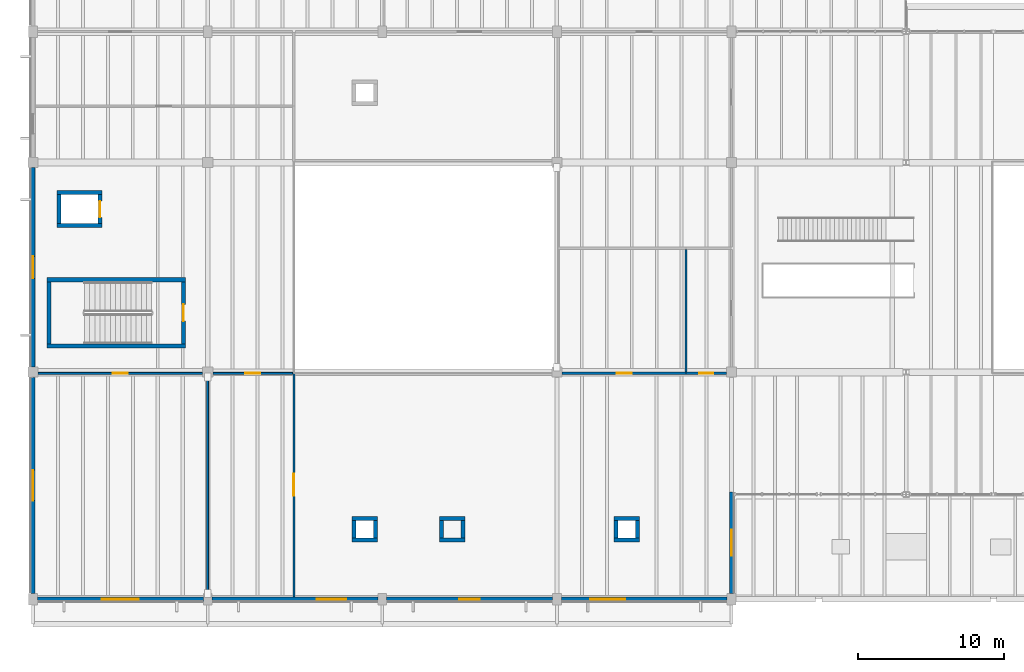
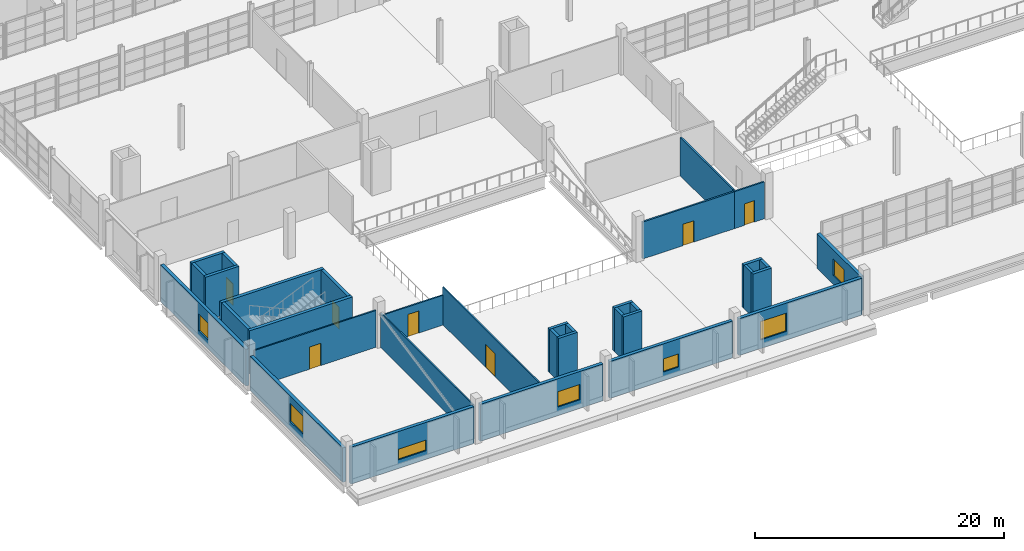
# One storey, part 88 of 114: 34 walls, 7 doors, 7 windows, 14 openings.
"""IFC4 building model written with IfcOpenShell, lengths in metres."""

from ifc_helpers import new_model, si_unit, direction, frame, frame_2d, origin, place, context, subcontext, project, spatial, rectangle, extrude, material, layer, layer_set, type_object, element, fill, save


model = new_model("IFC4")

# Units and contexts
model_context = context("Model", 3, precision=1e-05, world=origin(), true_north=direction((0.0, 1.0)))
body_context = subcontext(model_context, "Body", "Model", "MODEL_VIEW")
ifc_project = project(units=[si_unit("LENGTHUNIT", "METRE"), si_unit("AREAUNIT", "SQUARE_METRE"), si_unit("VOLUMEUNIT", "CUBIC_METRE"), si_unit("PLANEANGLEUNIT", "RADIAN"), si_unit("MASSUNIT", "GRAM", prefix="KILO")], contexts=[model_context])

# Site, building, storey
site_placement = place(None, origin())
site = spatial("IfcSite", under=ifc_project, at=site_placement, CompositionType="ELEMENT")
building_placement = place(site_placement, origin())
building = spatial("IfcBuilding", under=site, at=building_placement, Name="Kelmvaro Bay Concert Hall", CompositionType="ELEMENT")
storey_placement = place(building_placement, frame((0.0, 0.0, 4.800048828125)))
storey = spatial("IfcBuildingStorey", under=building, at=storey_placement, Name="L01", CompositionType="ELEMENT", Elevation=4.800048828125)

# Wall, opening, door
ifc_material_1 = material(Name="Acoustic Gypsum Board on Galvanised Steel Studs", Category="steel")
ifc_layer_1 = layer(ifc_material_1, 0.1298828125)
ifc_layer_set_1 = layer_set([ifc_layer_1], Name="Acoustic Gypsum Board on Galvanised Steel Studs")
wall_type_1 = type_object("IfcWallType", Name="Classroom Acoustic Partition 130", PredefinedType="PARTITIONING", material=ifc_layer_set_1)
wall_1_placement = place(storey_placement, frame((17.919921875, 0.159912109375, 0.0), z_axis=(0.0, 0.0, 1.0), x_axis=(0.0, 1.0, 0.0)))
wall_1 = element("IfcWall", 1, at=wall_1_placement, inside=storey, type_object=wall_type_1, Name="L01 Interior Partition PT-L01-0156", PredefinedType="PARTITIONING", context=body_context, shape_type="SweptSolid", body=[
    extrude(rectangle(XDim=15.39013671875, YDim=0.1298828125, at=frame_2d((7.695068359375, 0.0))), origin(), (0.0, 0.0, 1.0), 3.68603515625),
])
opening_1_placement = place(wall_1_placement, frame((6.93505859375, 0.0, 0.0)))
opening_1 = element("IfcOpeningElement", 2, at=opening_1_placement, cuts=wall_1, Name="Opening ID-ED2", PredefinedType="OPENING", context=body_context, shape_type="SweptSolid", body=[
    extrude(rectangle(XDim=1.52001953125, YDim=2.239990234375, at=frame_2d((0.760009765625, 1.1201171875))), frame((0.0, 0.074951171875, 0.0), z_axis=(0.0, -1.0, 0.0), x_axis=(1.0, 0.0, 0.0)), (0.0, 0.0, 1.0), 0.14990234375),
])
ifc_material_2 = material(Name="Oak Veneer and Acoustic Glass", Category="glass")
door_type_1 = type_object("IfcDoorType", Name="Archive Library Double Door 1520x2240", OperationType="NOTDEFINED", PredefinedType="DOOR", material=ifc_material_2)
door_1_placement = place(opening_1_placement, origin())
door_1 = element("IfcDoor", 3, at=door_1_placement, inside=storey, type_object=door_type_1, Name="L01 Interior Door DR-INT-L01-0096", OperationType="DOUBLE_DOOR_SINGLE_SWING", OverallHeight=2.239990234375, OverallWidth=1.52001953125, PredefinedType="DOOR", context=body_context, shape_type="SweptSolid", body=[
    extrude(rectangle(XDim=1.52001953125, YDim=2.239990234375, at=frame_2d((0.760009765625, 1.1201171875))), frame((0.0, 0.02490234375, 0.0), z_axis=(0.0, -1.0, 0.0), x_axis=(1.0, 0.0, 0.0)), (0.0, 0.0, 1.0), 0.050048828125),
])
fill(opening_1, door_1)

wall_2_placement = place(storey_placement, frame((0.35791015625, 15.52001953125, 0.0), z_axis=(0.0, 0.0, 1.0), x_axis=(1.0, 0.0, 0.0)))
wall_2 = element("IfcWall", 4, at=wall_2_placement, inside=storey, type_object=wall_type_1, Name="L01 Interior Partition PT-L01-0164", PredefinedType="PARTITIONING", context=body_context, shape_type="SweptSolid", body=[
    extrude(rectangle(XDim=11.2841796875, YDim=0.1298828125, at=frame_2d((5.64208984375, 0.0))), origin(), (0.0, 0.0, 1.0), 3.623046875),
])
opening_2_placement = place(wall_2_placement, frame((5.126953125, 0.0, 0.0)))
opening_2 = element("IfcOpeningElement", 5, at=opening_2_placement, cuts=wall_2, Name="Opening ID-ED1", PredefinedType="OPENING", context=body_context, shape_type="SweptSolid", body=[
    extrude(rectangle(XDim=1.030029296875, YDim=2.179931640625, at=frame_2d((0.51513671875, 1.08984375))), frame((0.0, 0.074951171875, 0.0), z_axis=(0.0, -1.0, 0.0), x_axis=(1.0, 0.0, 0.0)), (0.0, 0.0, 1.0), 0.14990234375),
])
ifc_material_3 = material(Name="Oak Veneer and Acoustic Glass", Category="glass")
door_type_2 = type_object("IfcDoorType", Name="Classroom Vision-Lite Door 1030x2180", OperationType="NOTDEFINED", PredefinedType="DOOR", material=ifc_material_3)
door_2_placement = place(opening_2_placement, origin())
door_2 = element("IfcDoor", 6, at=door_2_placement, inside=storey, type_object=door_type_2, Name="L01 Interior Door DR-INT-L01-0100", OperationType="SINGLE_SWING_RIGHT", OverallHeight=2.179931640625, OverallWidth=1.030029296875, PredefinedType="DOOR", context=body_context, shape_type="SweptSolid", body=[
    extrude(rectangle(XDim=1.030029296875, YDim=2.179931640625, at=frame_2d((0.51513671875, 1.08984375))), frame((0.0, 0.02490234375, 0.0), z_axis=(0.0, -1.0, 0.0), x_axis=(1.0, 0.0, 0.0)), (0.0, 0.0, 1.0), 0.050048828125),
])
fill(opening_2, door_2)

wall_3_placement = place(storey_placement, frame((12.35791015625, 15.52001953125, 0.0), z_axis=(0.0, 0.0, 1.0), x_axis=(1.0, 0.0, 0.0)))
wall_3 = element("IfcWall", 7, at=wall_3_placement, inside=storey, type_object=wall_type_1, Name="L01 Interior Partition PT-L01-0165", PredefinedType="PARTITIONING", context=body_context, shape_type="SweptSolid", body=[
    extrude(rectangle(XDim=5.487060546875, YDim=0.1298828125, at=frame_2d((2.74365234375, 0.0))), origin(), (0.0, 0.0, 1.0), 2.929931640625),
])
opening_3_placement = place(wall_3_placement, frame((2.228515625, 0.0, 0.0)))
opening_3 = element("IfcOpeningElement", 8, at=opening_3_placement, cuts=wall_3, Name="Opening ID-ED1", PredefinedType="OPENING", context=body_context, shape_type="SweptSolid", body=[
    extrude(rectangle(XDim=1.030029296875, YDim=2.179931640625, at=frame_2d((0.51513671875, 1.08984375))), frame((0.0, 0.074951171875, 0.0), z_axis=(0.0, -1.0, 0.0), x_axis=(1.0, 0.0, 0.0)), (0.0, 0.0, 1.0), 0.14990234375),
])
door_3_placement = place(opening_3_placement, origin())
door_3 = element("IfcDoor", 9, at=door_3_placement, inside=storey, type_object=door_type_2, Name="L01 Interior Door DR-INT-L01-0101", OperationType="SINGLE_SWING_LEFT", OverallHeight=2.179931640625, OverallWidth=1.030029296875, PredefinedType="DOOR", context=body_context, shape_type="SweptSolid", body=[
    extrude(rectangle(XDim=1.030029296875, YDim=2.179931640625, at=frame_2d((0.51513671875, 1.08984375))), frame((0.0, 0.02490234375, 0.0), z_axis=(0.0, -1.0, 0.0), x_axis=(1.0, 0.0, 0.0)), (0.0, 0.0, 1.0), 0.050048828125),
])
fill(opening_3, door_3)

# Wall
wall_4_placement = place(storey_placement, frame((12.0, 0.407958984375, 0.0), z_axis=(0.0, 0.0, 1.0), x_axis=(0.0, 1.0, 0.0)))
element("IfcWall", 10, at=wall_4_placement, inside=storey, type_object=wall_type_1, Name="L01 Interior Partition PT-L01-0167", PredefinedType="PARTITIONING", context=body_context, shape_type="SweptSolid", body=[
    extrude(rectangle(XDim=14.833984375, YDim=0.1298828125, at=frame_2d((7.4169921875, 0.0))), origin(), (0.0, 0.0, 1.0), 3.384033203125),
])

# Wall, opening, window
ifc_material_4 = material(Name="Precast Concrete C40/50", Category="concrete")
ifc_layer_2 = layer(ifc_material_4, 0.300048828125)
ifc_layer_set_2 = layer_set([ifc_layer_2], Name="Precast Concrete C40/50")
wall_type_2 = type_object("IfcWallType", Name="Education Pavilion Precast Wall 300", PredefinedType="SOLIDWALL", material=ifc_layer_set_2)
wall_5_placement = place(storey_placement, frame((11.699951171875, 0.0, 0.0), z_axis=(0.0, 0.0, 1.0), x_axis=(-1.0, 0.0, 0.0)))
wall_5 = element("IfcWall", 11, at=wall_5_placement, inside=storey, type_object=wall_type_2, Name="L01 Exterior Wall EW-L01-0170", PredefinedType="SOLIDWALL", context=body_context, shape_type="SweptSolid", body=[
    extrude(rectangle(XDim=11.39990234375, YDim=0.300048828125, at=frame_2d((5.699951171875, 0.0))), origin(), (0.0, 0.0, 1.0), 3.623046875),
])
opening_4_placement = place(wall_5_placement, frame((4.425048828125, 0.0, 0.85009765625)))
opening_4 = element("IfcOpeningElement", 12, at=opening_4_placement, cuts=wall_5, Name="Opening WN-24", PredefinedType="OPENING", context=body_context, shape_type="SweptSolid", body=[
    extrude(rectangle(XDim=2.550048828125, YDim=1.050048828125, at=frame_2d((1.27490234375, 0.52490234375))), frame((0.0, 0.159912109375, 0.0), z_axis=(0.0, -1.0, 0.0), x_axis=(1.0, 0.0, 0.0)), (0.0, 0.0, 1.0), 0.320068359375),
])
ifc_material_5 = material(Name="Thermally Broken Aluminium and Acoustic Low-E Glass", Category="aluminium")
window_type_1 = type_object("IfcWindowType", Name="Percussion High Clerestory 2550x1050", PartitioningType="SINGLE_PANEL", PredefinedType="WINDOW", material=ifc_material_5)
window_1_placement = place(opening_4_placement, origin())
window_1 = element("IfcWindow", 13, at=window_1_placement, inside=storey, type_object=window_type_1, Name="L01 Facade Window WN-L01-0079", OverallHeight=1.050048828125, OverallWidth=2.550048828125, PartitioningType="SINGLE_PANEL", PredefinedType="WINDOW", context=body_context, shape_type="SweptSolid", body=[
    extrude(rectangle(XDim=2.550048828125, YDim=1.050048828125, at=frame_2d((1.27490234375, 0.52490234375))), frame((0.0, 0.030029296875, 0.0), z_axis=(0.0, -1.0, 0.0), x_axis=(1.0, 0.0, 0.0)), (0.0, 0.0, 1.0), 0.06005859375),
])
fill(opening_4, window_1)

wall_6_placement = place(storey_placement, frame((23.699951171875, 0.0, 0.0), z_axis=(0.0, 0.0, 1.0), x_axis=(-1.0, 0.0, 0.0)))
wall_6 = element("IfcWall", 14, at=wall_6_placement, inside=storey, type_object=wall_type_2, Name="L01 Exterior Wall EW-L01-0171", PredefinedType="SOLIDWALL", context=body_context, shape_type="SweptSolid", body=[
    extrude(rectangle(XDim=11.39990234375, YDim=0.300048828125, at=frame_2d((5.699951171875, 0.0))), origin(), (0.0, 0.0, 1.0), 3.623046875),
])
opening_5_placement = place(wall_6_placement, frame((2.1669921875, 0.0, 0.85009765625)))
opening_5 = element("IfcOpeningElement", 15, at=opening_5_placement, cuts=wall_6, Name="Opening WN-25", PredefinedType="OPENING", context=body_context, shape_type="SweptSolid", body=[
    extrude(rectangle(XDim=2.050048828125, YDim=1.5, at=frame_2d((1.02490234375, 0.75))), frame((0.0, 0.159912109375, 0.0), z_axis=(0.0, -1.0, 0.0), x_axis=(1.0, 0.0, 0.0)), (0.0, 0.0, 1.0), 0.320068359375),
])
ifc_material_6 = material(Name="Thermally Broken Aluminium and Acoustic Low-E Glass", Category="aluminium")
window_type_2 = type_object("IfcWindowType", Name="Crown Listening Window 2050x1500", PartitioningType="SINGLE_PANEL", PredefinedType="WINDOW", material=ifc_material_6)
window_2_placement = place(opening_5_placement, origin())
window_2 = element("IfcWindow", 16, at=window_2_placement, inside=storey, type_object=window_type_2, Name="L01 Facade Window WN-L01-0080", OverallHeight=1.5, OverallWidth=2.050048828125, PartitioningType="SINGLE_PANEL", PredefinedType="WINDOW", context=body_context, shape_type="SweptSolid", body=[
    extrude(rectangle(XDim=2.050048828125, YDim=1.5, at=frame_2d((1.02490234375, 0.75))), frame((0.0, 0.030029296875, 0.0), z_axis=(0.0, -1.0, 0.0), x_axis=(1.0, 0.0, 0.0)), (0.0, 0.0, 1.0), 0.06005859375),
])
fill(opening_5, window_2)

wall_7_placement = place(storey_placement, frame((35.699951171875, 0.0, 0.0), z_axis=(0.0, 0.0, 1.0), x_axis=(-1.0, 0.0, 0.0)))
wall_7 = element("IfcWall", 17, at=wall_7_placement, inside=storey, type_object=wall_type_2, Name="L01 Exterior Wall EW-L01-0172", PredefinedType="SOLIDWALL", context=body_context, shape_type="SweptSolid", body=[
    extrude(rectangle(XDim=11.39990234375, YDim=0.300048828125, at=frame_2d((5.699951171875, 0.0))), origin(), (0.0, 0.0, 1.0), 3.623046875),
])
opening_6_placement = place(wall_7_placement, frame((5.0, 0.0, 0.85009765625)))
opening_6 = element("IfcOpeningElement", 18, at=opening_6_placement, cuts=wall_7, Name="Opening WN-26", PredefinedType="OPENING", context=body_context, shape_type="SweptSolid", body=[
    extrude(rectangle(XDim=1.39990234375, YDim=1.300048828125, at=frame_2d((0.699951171875, 0.64990234375))), frame((0.0, 0.159912109375, 0.0), z_axis=(0.0, -1.0, 0.0), x_axis=(1.0, 0.0, 0.0)), (0.0, 0.0, 1.0), 0.320068359375),
])
ifc_material_7 = material(Name="Thermally Broken Aluminium and Acoustic Low-E Glass", Category="aluminium")
window_type_3 = type_object("IfcWindowType", Name="Backstage Corridor Lite Window 1400x1300", PartitioningType="SINGLE_PANEL", PredefinedType="WINDOW", material=ifc_material_7)
window_3_placement = place(opening_6_placement, origin())
window_3 = element("IfcWindow", 19, at=window_3_placement, inside=storey, type_object=window_type_3, Name="L01 Facade Window WN-L01-0081", OverallHeight=1.300048828125, OverallWidth=1.39990234375, PartitioningType="SINGLE_PANEL", PredefinedType="WINDOW", context=body_context, shape_type="SweptSolid", body=[
    extrude(rectangle(XDim=1.39990234375, YDim=1.300048828125, at=frame_2d((0.699951171875, 0.64990234375))), frame((0.0, 0.030029296875, 0.0), z_axis=(0.0, -1.0, 0.0), x_axis=(1.0, 0.0, 0.0)), (0.0, 0.0, 1.0), 0.06005859375),
])
fill(opening_6, window_3)

wall_8_placement = place(storey_placement, frame((47.699951171875, 0.0, 0.0), z_axis=(0.0, 0.0, 1.0), x_axis=(-1.0, 0.0, 0.0)))
wall_8 = element("IfcWall", 20, at=wall_8_placement, inside=storey, type_object=wall_type_2, Name="L01 Exterior Wall EW-L01-0173", PredefinedType="SOLIDWALL", context=body_context, shape_type="SweptSolid", body=[
    extrude(rectangle(XDim=11.39990234375, YDim=0.300048828125, at=frame_2d((5.699951171875, 0.0))), origin(), (0.0, 0.0, 1.0), 3.623046875),
])
opening_7_placement = place(wall_8_placement, frame((7.008056640625, 0.0, 0.85009765625)))
opening_7 = element("IfcOpeningElement", 21, at=opening_7_placement, cuts=wall_8, Name="Opening WN-01", PredefinedType="OPENING", context=body_context, shape_type="SweptSolid", body=[
    extrude(rectangle(XDim=2.39990234375, YDim=1.800048828125, at=frame_2d((1.199951171875, 0.89990234375))), frame((0.0, 0.159912109375, 0.0), z_axis=(0.0, -1.0, 0.0), x_axis=(1.0, 0.0, 0.0)), (0.0, 0.0, 1.0), 0.320068359375),
])
ifc_material_8 = material(Name="Thermally Broken Aluminium and Acoustic Low-E Glass", Category="aluminium")
window_type_4 = type_object("IfcWindowType", Name="Bauhaus Ribbon Window 2400x1800", PartitioningType="SINGLE_PANEL", PredefinedType="WINDOW", material=ifc_material_8)
window_4_placement = place(opening_7_placement, origin())
window_4 = element("IfcWindow", 22, at=window_4_placement, inside=storey, type_object=window_type_4, Name="L01 Facade Window WN-L01-0082", OverallHeight=1.800048828125, OverallWidth=2.39990234375, PartitioningType="SINGLE_PANEL", PredefinedType="WINDOW", context=body_context, shape_type="SweptSolid", body=[
    extrude(rectangle(XDim=2.39990234375, YDim=1.800048828125, at=frame_2d((1.199951171875, 0.89990234375))), frame((0.0, 0.030029296875, 0.0), z_axis=(0.0, -1.0, 0.0), x_axis=(1.0, 0.0, 0.0)), (0.0, 0.0, 1.0), 0.06005859375),
])
fill(opening_7, window_4)

wall_9_placement = place(storey_placement, frame((0.0, 0.39990234375, 0.0), z_axis=(0.0, 0.0, 1.0), x_axis=(0.0, 1.0, 0.0)))
wall_9 = element("IfcWall", 23, at=wall_9_placement, inside=storey, type_object=wall_type_2, Name="L01 Exterior Wall EW-L01-0174", PredefinedType="SOLIDWALL", context=body_context, shape_type="SweptSolid", body=[
    extrude(rectangle(XDim=14.85009765625, YDim=0.300048828125, at=frame_2d((7.425048828125, 0.0))), origin(), (0.0, 0.0, 1.0), 3.384033203125),
])
opening_8_placement = place(wall_9_placement, frame((6.375, 0.0, 0.85009765625)))
opening_8 = element("IfcOpeningElement", 24, at=opening_8_placement, cuts=wall_9, Name="Opening WN-02", PredefinedType="OPENING", context=body_context, shape_type="SweptSolid", body=[
    extrude(rectangle(XDim=2.10009765625, YDim=1.800048828125, at=frame_2d((1.050048828125, 0.89990234375))), frame((0.0, 0.159912109375, 0.0), z_axis=(0.0, -1.0, 0.0), x_axis=(1.0, 0.0, 0.0)), (0.0, 0.0, 1.0), 0.320068359375),
])
ifc_material_9 = material(Name="Thermally Broken Aluminium and Acoustic Low-E Glass", Category="aluminium")
window_type_5 = type_object("IfcWindowType", Name="Bauhaus Ribbon Window 2100x1800", PartitioningType="SINGLE_PANEL", PredefinedType="WINDOW", material=ifc_material_9)
window_5_placement = place(opening_8_placement, origin())
window_5 = element("IfcWindow", 25, at=window_5_placement, inside=storey, type_object=window_type_5, Name="L01 Facade Window WN-L01-0083", OverallHeight=1.800048828125, OverallWidth=2.10009765625, PartitioningType="SINGLE_PANEL", PredefinedType="WINDOW", context=body_context, shape_type="SweptSolid", body=[
    extrude(rectangle(XDim=2.10009765625, YDim=1.800048828125, at=frame_2d((1.050048828125, 0.89990234375))), frame((0.0, 0.030029296875, 0.0), z_axis=(0.0, -1.0, 0.0), x_axis=(1.0, 0.0, 0.0)), (0.0, 0.0, 1.0), 0.06005859375),
])
fill(opening_8, window_5)

wall_10_placement = place(storey_placement, frame((48.0, 7.35009765625, 0.0), z_axis=(0.0, 0.0, 1.0), x_axis=(0.0, -1.0, 0.0)))
wall_10 = element("IfcWall", 26, at=wall_10_placement, inside=storey, type_object=wall_type_2, Name="L01 Exterior Wall EW-L01-0175", PredefinedType="SOLIDWALL", context=body_context, shape_type="SweptSolid", body=[
    extrude(rectangle(XDim=6.9501953125, YDim=0.300048828125, at=frame_2d((3.47509765625, 0.0))), origin(), (0.0, 0.0, 1.0), 3.384033203125),
])
opening_9_placement = place(wall_10_placement, frame((2.574951171875, 0.0, 0.85009765625)))
opening_9 = element("IfcOpeningElement", 27, at=opening_9_placement, cuts=wall_10, Name="Opening WN-03", PredefinedType="OPENING", context=body_context, shape_type="SweptSolid", body=[
    extrude(rectangle(XDim=1.800048828125, YDim=1.64990234375, at=frame_2d((0.89990234375, 0.824951171875))), frame((0.0, 0.159912109375, 0.0), z_axis=(0.0, -1.0, 0.0), x_axis=(1.0, 0.0, 0.0)), (0.0, 0.0, 1.0), 0.320068359375),
])
ifc_material_10 = material(Name="Thermally Broken Aluminium and Acoustic Low-E Glass", Category="aluminium")
window_type_6 = type_object("IfcWindowType", Name="Practice Studio Acoustic Window 1800x1650", PartitioningType="SINGLE_PANEL", PredefinedType="WINDOW", material=ifc_material_10)
window_6_placement = place(opening_9_placement, origin())
window_6 = element("IfcWindow", 28, at=window_6_placement, inside=storey, type_object=window_type_6, Name="L01 Facade Window WN-L01-0084", OverallHeight=1.64990234375, OverallWidth=1.800048828125, PartitioningType="SINGLE_PANEL", PredefinedType="WINDOW", context=body_context, shape_type="SweptSolid", body=[
    extrude(rectangle(XDim=1.800048828125, YDim=1.64990234375, at=frame_2d((0.89990234375, 0.824951171875))), frame((0.0, 0.030029296875, 0.0), z_axis=(0.0, -1.0, 0.0), x_axis=(1.0, 0.0, 0.0)), (0.0, 0.0, 1.0), 0.06005859375),
])
fill(opening_9, window_6)

wall_11_placement = place(storey_placement, frame((0.0, 15.949951171875, 0.0), z_axis=(0.0, 0.0, 1.0), x_axis=(0.0, 1.0, 0.0)))
wall_11 = element("IfcWall", 29, at=wall_11_placement, inside=storey, type_object=wall_type_2, Name="L01 Exterior Wall EW-L01-0176", PredefinedType="SOLIDWALL", context=body_context, shape_type="SweptSolid", body=[
    extrude(rectangle(XDim=13.699951171875, YDim=0.300048828125, at=frame_2d((6.85009765625, 0.0))), origin(), (0.0, 0.0, 1.0), 3.618896484375),
])
opening_10_placement = place(wall_11_placement, frame((6.10009765625, 0.0, 0.85009765625)))
opening_10 = element("IfcOpeningElement", 30, at=opening_10_placement, cuts=wall_11, Name="Opening WN-04", PredefinedType="OPENING", context=body_context, shape_type="SweptSolid", body=[
    extrude(rectangle(XDim=1.5, YDim=1.64990234375, at=frame_2d((0.75, 0.824951171875))), frame((0.0, 0.159912109375, 0.0), z_axis=(0.0, -1.0, 0.0), x_axis=(1.0, 0.0, 0.0)), (0.0, 0.0, 1.0), 0.320068359375),
])
ifc_material_11 = material(Name="Thermally Broken Aluminium and Acoustic Low-E Glass", Category="aluminium")
window_type_7 = type_object("IfcWindowType", Name="Practice Studio Acoustic Window 1500x1650", PartitioningType="SINGLE_PANEL", PredefinedType="WINDOW", material=ifc_material_11)
window_7_placement = place(opening_10_placement, origin())
window_7 = element("IfcWindow", 31, at=window_7_placement, inside=storey, type_object=window_type_7, Name="L01 Facade Window WN-L01-0085", OverallHeight=1.64990234375, OverallWidth=1.5, PartitioningType="SINGLE_PANEL", PredefinedType="WINDOW", context=body_context, shape_type="SweptSolid", body=[
    extrude(rectangle(XDim=1.5, YDim=1.64990234375, at=frame_2d((0.75, 0.824951171875))), frame((0.0, 0.030029296875, 0.0), z_axis=(0.0, -1.0, 0.0), x_axis=(1.0, 0.0, 0.0)), (0.0, 0.0, 1.0), 0.06005859375),
])
fill(opening_10, window_7)

# Walls
ifc_material_12 = material(Name="Concrete C40/50", Category="concrete")
ifc_layer_3 = layer(ifc_material_12, 0.27001953125)
ifc_layer_set_3 = layer_set([ifc_layer_3], Name="Concrete C40/50")
wall_type_3 = type_object("IfcWallType", Name="Secondary Shaft Shear Wall 270", PredefinedType="SHEAR", material=ifc_layer_set_3)
for number, where, z_axis, x_axis, name in (
    (32, (21.929931640625, 4.06494140625, 0.0), (0.0, 0.0, 1.0), (1.0, 0.0, 0.0), "L01 Service Riser Shaft Wall 069-S"),
    (33, (21.929931640625, 5.534912109375, 0.0), (0.0, 0.0, 1.0), (1.0, 0.0, 0.0), "L01 Service Riser Shaft Wall 070-N"),
):
    element("IfcWall", number, at=place(storey_placement, frame(where, z_axis=z_axis, x_axis=x_axis)), inside=storey, type_object=wall_type_3, Name=name, PredefinedType="SHEAR", context=body_context, shape_type="SweptSolid", body=[
        extrude(rectangle(XDim=1.739990234375, YDim=0.27001953125, at=frame_2d((0.8701171875, 0.0))), origin(), (0.0, 0.0, 1.0), 4.25),
    ])
for number, where, z_axis, x_axis, name in (
    (34, (22.06494140625, 4.199951171875, 0.0), (0.0, 0.0, 1.0), (0.0, 1.0, 0.0), "L01 Service Riser Shaft Wall 071-W"),
    (35, (23.534912109375, 4.199951171875, 0.0), (0.0, 0.0, 1.0), (0.0, 1.0, 0.0), "L01 Service Riser Shaft Wall 072-E"),
):
    element("IfcWall", number, at=place(storey_placement, frame(where, z_axis=z_axis, x_axis=x_axis)), inside=storey, type_object=wall_type_3, Name=name, PredefinedType="SHEAR", context=body_context, shape_type="SweptSolid", body=[
        extrude(rectangle(XDim=1.199951171875, YDim=0.27001953125, at=frame_2d((0.60009765625, 0.0))), origin(), (0.0, 0.0, 1.0), 4.25),
    ])
for number, where, z_axis, x_axis, name in (
    (36, (39.929931640625, 4.06494140625, 0.0), (0.0, 0.0, 1.0), (1.0, 0.0, 0.0), "L01 Service Riser Shaft Wall 077-S"),
    (37, (39.929931640625, 5.534912109375, 0.0), (0.0, 0.0, 1.0), (1.0, 0.0, 0.0), "L01 Service Riser Shaft Wall 078-N"),
):
    element("IfcWall", number, at=place(storey_placement, frame(where, z_axis=z_axis, x_axis=x_axis)), inside=storey, type_object=wall_type_3, Name=name, PredefinedType="SHEAR", context=body_context, shape_type="SweptSolid", body=[
        extrude(rectangle(XDim=1.739990234375, YDim=0.27001953125, at=frame_2d((0.8701171875, 0.0))), origin(), (0.0, 0.0, 1.0), 4.25),
    ])
for number, where, z_axis, x_axis, name in (
    (38, (40.06494140625, 4.199951171875, 0.0), (0.0, 0.0, 1.0), (0.0, 1.0, 0.0), "L01 Service Riser Shaft Wall 079-W"),
    (39, (41.534912109375, 4.199951171875, 0.0), (0.0, 0.0, 1.0), (0.0, 1.0, 0.0), "L01 Service Riser Shaft Wall 080-E"),
):
    element("IfcWall", number, at=place(storey_placement, frame(where, z_axis=z_axis, x_axis=x_axis)), inside=storey, type_object=wall_type_3, Name=name, PredefinedType="SHEAR", context=body_context, shape_type="SweptSolid", body=[
        extrude(rectangle(XDim=1.199951171875, YDim=0.27001953125, at=frame_2d((0.60009765625, 0.0))), origin(), (0.0, 0.0, 1.0), 4.25),
    ])
for number, where, z_axis, x_axis, name in (
    (40, (27.929931640625, 4.06494140625, 0.0), (0.0, 0.0, 1.0), (1.0, 0.0, 0.0), "L01 Service Riser Shaft Wall 113-S"),
    (41, (27.929931640625, 5.534912109375, 0.0), (0.0, 0.0, 1.0), (1.0, 0.0, 0.0), "L01 Service Riser Shaft Wall 114-N"),
):
    element("IfcWall", number, at=place(storey_placement, frame(where, z_axis=z_axis, x_axis=x_axis)), inside=storey, type_object=wall_type_3, Name=name, PredefinedType="SHEAR", context=body_context, shape_type="SweptSolid", body=[
        extrude(rectangle(XDim=1.739990234375, YDim=0.27001953125, at=frame_2d((0.8701171875, 0.0))), origin(), (0.0, 0.0, 1.0), 4.25),
    ])
for number, where, z_axis, x_axis, name in (
    (42, (28.06494140625, 4.199951171875, 0.0), (0.0, 0.0, 1.0), (0.0, 1.0, 0.0), "L01 Service Riser Shaft Wall 115-W"),
    (43, (29.534912109375, 4.199951171875, 0.0), (0.0, 0.0, 1.0), (0.0, 1.0, 0.0), "L01 Service Riser Shaft Wall 116-E"),
):
    element("IfcWall", number, at=place(storey_placement, frame(where, z_axis=z_axis, x_axis=x_axis)), inside=storey, type_object=wall_type_3, Name=name, PredefinedType="SHEAR", context=body_context, shape_type="SweptSolid", body=[
        extrude(rectangle(XDim=1.199951171875, YDim=0.27001953125, at=frame_2d((0.60009765625, 0.0))), origin(), (0.0, 0.0, 1.0), 4.25),
    ])
for number, where, z_axis, x_axis, name in (
    (44, (1.655029296875, 25.6650390625, 0.0), (0.0, 0.0, 1.0), (1.0, 0.0, 0.0), "L01 LF-06 Lift Shaft Wall S"),
    (45, (1.655029296875, 27.93505859375, 0.0), (0.0, 0.0, 1.0), (1.0, 0.0, 0.0), "L01 LF-06 Lift Shaft Wall N"),
):
    element("IfcWall", number, at=place(storey_placement, frame(where, z_axis=z_axis, x_axis=x_axis)), inside=storey, type_object=wall_type_3, Name=name, PredefinedType="SHEAR", context=body_context, shape_type="SweptSolid", body=[
        extrude(rectangle(XDim=3.090087890625, YDim=0.27001953125, at=frame_2d((1.544921875, 0.0))), origin(), (0.0, 0.0, 1.0), 4.25),
    ])
wall_12_placement = place(storey_placement, frame((1.7900390625, 25.800048828125, 0.0), z_axis=(0.0, 0.0, 1.0), x_axis=(0.0, 1.0, 0.0)))
element("IfcWall", 46, at=wall_12_placement, inside=storey, type_object=wall_type_3, Name="L01 LF-06 Lift Shaft Wall W", PredefinedType="SHEAR", context=body_context, shape_type="SweptSolid", body=[
    extrude(rectangle(XDim=2.0, YDim=0.27001953125, at=frame_2d((1.0, 0.0))), origin(), (0.0, 0.0, 1.0), 4.25),
])

# Wall, opening, door
wall_13_placement = place(storey_placement, frame((4.610107421875, 25.800048828125, 0.0), z_axis=(0.0, 0.0, 1.0), x_axis=(0.0, 1.0, 0.0)))
wall_13 = element("IfcWall", 47, at=wall_13_placement, inside=storey, type_object=wall_type_3, Name="L01 LF-06 Lift Shaft Wall E", PredefinedType="SHEAR", context=body_context, shape_type="SweptSolid", body=[
    extrude(rectangle(XDim=2.0, YDim=0.27001953125, at=frame_2d((1.0, 0.0))), origin(), (0.0, 0.0, 1.0), 4.25),
])
opening_11_placement = place(wall_13_placement, frame((0.43994140625, 0.0, 0.0)))
opening_11 = element("IfcOpeningElement", 48, at=opening_11_placement, cuts=wall_13, Name="Opening LD-112", PredefinedType="OPENING", context=body_context, shape_type="SweptSolid", body=[
    extrude(rectangle(XDim=1.1201171875, YDim=2.14990234375, at=frame_2d((0.56005859375, 1.074951171875))), frame((0.0, 0.14501953125, 0.0), z_axis=(0.0, -1.0, 0.0), x_axis=(1.0, 0.0, 0.0)), (0.0, 0.0, 1.0), 0.2900390625),
])
ifc_material_13 = material(Name="Brushed Stainless Steel 316", Category="steel")
door_type_3 = type_object("IfcDoorType", Name="Passenger Lift Sliding Landing Door 1120x2150", OperationType="NOTDEFINED", PredefinedType="DOOR", material=ifc_material_13)
door_4_placement = place(opening_11_placement, origin())
door_4 = element("IfcDoor", 49, at=door_4_placement, inside=storey, type_object=door_type_3, Name="L01 Lift Landing Door LF-06", OperationType="SLIDING_TO_LEFT", OverallHeight=2.14990234375, OverallWidth=1.1201171875, PredefinedType="DOOR", context=body_context, shape_type="SweptSolid", body=[
    extrude(rectangle(XDim=1.1201171875, YDim=2.14990234375, at=frame_2d((0.56005859375, 1.074951171875))), frame((0.0, 0.02490234375, 0.0), z_axis=(0.0, -1.0, 0.0), x_axis=(1.0, 0.0, 0.0)), (0.0, 0.0, 1.0), 0.050048828125),
])
fill(opening_11, door_4)

# Walls
ifc_material_14 = material(Name="Concrete C40/50", Category="concrete")
ifc_layer_4 = layer(ifc_material_14, 0.2900390625)
ifc_layer_set_4 = layer_set([ifc_layer_4], Name="Concrete C40/50")
wall_type_4 = type_object("IfcWallType", Name="Stair and Lift Core Shear Wall 290", PredefinedType="SHEAR", material=ifc_layer_set_4)
for number, where, z_axis, x_axis, name in (
    (50, (0.9599609375, 17.405029296875, 0.0), (0.0, 0.0, 1.0), (1.0, 0.0, 0.0), "L01 ST-08 Core Shear Wall S"),
    (51, (0.9599609375, 21.945068359375, 0.0), (0.0, 0.0, 1.0), (1.0, 0.0, 0.0), "L01 ST-08 Core Shear Wall N"),
):
    element("IfcWall", number, at=place(storey_placement, frame(where, z_axis=z_axis, x_axis=x_axis)), inside=storey, type_object=wall_type_4, Name=name, PredefinedType="SHEAR", context=body_context, shape_type="SweptSolid", body=[
        extrude(rectangle(XDim=9.530029296875, YDim=0.2900390625, at=frame_2d((4.76513671875, 0.0))), origin(), (0.0, 0.0, 1.0), 4.25),
    ])
wall_14_placement = place(storey_placement, frame((1.10498046875, 17.550048828125, 0.0), z_axis=(0.0, 0.0, 1.0), x_axis=(0.0, 1.0, 0.0)))
element("IfcWall", 52, at=wall_14_placement, inside=storey, type_object=wall_type_4, Name="L01 ST-08 Core Shear Wall W", PredefinedType="SHEAR", context=body_context, shape_type="SweptSolid", body=[
    extrude(rectangle(XDim=4.25, YDim=0.2900390625, at=frame_2d((2.125, 0.0))), origin(), (0.0, 0.0, 1.0), 4.25),
])

# Wall, opening, door
wall_15_placement = place(storey_placement, frame((10.344970703125, 17.550048828125, 0.0), z_axis=(0.0, 0.0, 1.0), x_axis=(0.0, 1.0, 0.0)))
wall_15 = element("IfcWall", 53, at=wall_15_placement, inside=storey, type_object=wall_type_4, Name="L01 ST-08 Core Shear Wall E", PredefinedType="SHEAR", context=body_context, shape_type="SweptSolid", body=[
    extrude(rectangle(XDim=4.25, YDim=0.2900390625, at=frame_2d((2.125, 0.0))), origin(), (0.0, 0.0, 1.0), 4.25),
])
opening_12_placement = place(wall_15_placement, frame((1.550048828125, 0.0, 0.0)))
opening_12 = element("IfcOpeningElement", 54, at=opening_12_placement, cuts=wall_15, Name="Opening ID-ST1", PredefinedType="OPENING", context=body_context, shape_type="SweptSolid", body=[
    extrude(rectangle(XDim=1.14990234375, YDim=2.14990234375, at=frame_2d((0.574951171875, 1.074951171875))), frame((0.0, 0.155029296875, 0.0), z_axis=(0.0, -1.0, 0.0), x_axis=(1.0, 0.0, 0.0)), (0.0, 0.0, 1.0), 0.31005859375),
])
ifc_material_15 = material(Name="Fire-Rated Galvanised Steel", Category="steel")
door_type_4 = type_object("IfcDoorType", Name="Exit Stair Fire Door 1150x2150", OperationType="NOTDEFINED", PredefinedType="DOOR", material=ifc_material_15)
door_5_placement = place(opening_12_placement, origin())
door_5 = element("IfcDoor", 55, at=door_5_placement, inside=storey, type_object=door_type_4, Name="L01 ST-08 Stair Fire Door", OperationType="SINGLE_SWING_LEFT", OverallHeight=2.14990234375, OverallWidth=1.14990234375, PredefinedType="DOOR", context=body_context, shape_type="SweptSolid", body=[
    extrude(rectangle(XDim=1.14990234375, YDim=2.14990234375, at=frame_2d((0.574951171875, 1.074951171875))), frame((0.0, 0.02490234375, 0.0), z_axis=(0.0, -1.0, 0.0), x_axis=(1.0, 0.0, 0.0)), (0.0, 0.0, 1.0), 0.050048828125),
])
fill(opening_12, door_5)

ifc_material_16 = material(Name="Acoustic Gypsum Board on Galvanised Steel Studs", Category="steel")
ifc_layer_5 = layer(ifc_material_16, 0.14990234375)
ifc_layer_set_5 = layer_set([ifc_layer_5], Name="Acoustic Gypsum Board on Galvanised Steel Studs")
wall_type_5 = type_object("IfcWallType", Name="Wet Area Moisture-Resistant Partition 150", PredefinedType="PARTITIONING", material=ifc_layer_set_5)
wall_16_placement = place(storey_placement, frame((36.35791015625, 15.52001953125, 0.0), z_axis=(0.0, 0.0, 1.0), x_axis=(1.0, 0.0, 0.0)))
wall_16 = element("IfcWall", 56, at=wall_16_placement, inside=storey, type_object=wall_type_5, Name="L01 Interior Partition PT-L01-0157", PredefinedType="PARTITIONING", context=body_context, shape_type="SweptSolid", body=[
    extrude(rectangle(XDim=8.527099609375, YDim=0.14990234375, at=frame_2d((4.263671875, 0.0))), origin(), (0.0, 0.0, 1.0), 3.623046875),
])
opening_13_placement = place(wall_16_placement, frame((3.758544921875, 0.0, 0.0)))
opening_13 = element("IfcOpeningElement", 57, at=opening_13_placement, cuts=wall_16, Name="Opening ID-WC2", PredefinedType="OPENING", context=body_context, shape_type="SweptSolid", body=[
    extrude(rectangle(XDim=1.010009765625, YDim=2.10009765625, at=frame_2d((0.5048828125, 1.050048828125))), frame((0.0, 0.0849609375, 0.0), z_axis=(0.0, -1.0, 0.0), x_axis=(1.0, 0.0, 0.0)), (0.0, 0.0, 1.0), 0.169921875),
])
ifc_material_17 = material(Name="High-Pressure Laminate Core")
door_type_5 = type_object("IfcDoorType", Name="Public Restroom Vestibule Door 1010x2100", OperationType="NOTDEFINED", PredefinedType="DOOR", material=ifc_material_17)
door_6_placement = place(opening_13_placement, origin())
door_6 = element("IfcDoor", 58, at=door_6_placement, inside=storey, type_object=door_type_5, Name="L01 Interior Door DR-INT-L01-0097", OperationType="SINGLE_SWING_LEFT", OverallHeight=2.10009765625, OverallWidth=1.010009765625, PredefinedType="DOOR", context=body_context, shape_type="SweptSolid", body=[
    extrude(rectangle(XDim=1.010009765625, YDim=2.10009765625, at=frame_2d((0.5048828125, 1.050048828125))), frame((0.0, 0.02490234375, 0.0), z_axis=(0.0, -1.0, 0.0), x_axis=(1.0, 0.0, 0.0)), (0.0, 0.0, 1.0), 0.050048828125),
])
fill(opening_13, door_6)

wall_17_placement = place(storey_placement, frame((44.875, 15.52001953125, 0.0), z_axis=(0.0, 0.0, 1.0), x_axis=(1.0, 0.0, 0.0)))
wall_17 = element("IfcWall", 59, at=wall_17_placement, inside=storey, type_object=wall_type_5, Name="L01 Interior Partition PT-L01-0158", PredefinedType="PARTITIONING", context=body_context, shape_type="SweptSolid", body=[
    extrude(rectangle(XDim=2.76708984375, YDim=0.14990234375, at=frame_2d((1.383544921875, 0.0))), origin(), (0.0, 0.0, 1.0), 3.623046875),
])
opening_14_placement = place(wall_17_placement, frame((0.91357421875, 0.0, 0.0)))
opening_14 = element("IfcOpeningElement", 60, at=opening_14_placement, cuts=wall_17, Name="Opening ID-WC1", PredefinedType="OPENING", context=body_context, shape_type="SweptSolid", body=[
    extrude(rectangle(XDim=0.93994140625, YDim=2.10009765625, at=frame_2d((0.469970703125, 1.050048828125))), frame((0.0, 0.0849609375, 0.0), z_axis=(0.0, -1.0, 0.0), x_axis=(1.0, 0.0, 0.0)), (0.0, 0.0, 1.0), 0.169921875),
])
ifc_material_18 = material(Name="High-Pressure Laminate Core")
door_type_6 = type_object("IfcDoorType", Name="Accessible Restroom Door 940x2100", OperationType="NOTDEFINED", PredefinedType="DOOR", material=ifc_material_18)
door_7_placement = place(opening_14_placement, origin())
door_7 = element("IfcDoor", 61, at=door_7_placement, inside=storey, type_object=door_type_6, Name="L01 Interior Door DR-INT-L01-0098", OperationType="SINGLE_SWING_RIGHT", OverallHeight=2.10009765625, OverallWidth=0.93994140625, PredefinedType="DOOR", context=body_context, shape_type="SweptSolid", body=[
    extrude(rectangle(XDim=0.93994140625, YDim=2.10009765625, at=frame_2d((0.469970703125, 1.050048828125))), frame((0.0, 0.02490234375, 0.0), z_axis=(0.0, -1.0, 0.0), x_axis=(1.0, 0.0, 0.0)), (0.0, 0.0, 1.0), 0.050048828125),
])
fill(opening_14, door_7)

# Wall
wall_18_placement = place(storey_placement, frame((44.8798828125, 15.60498046875, 0.0), z_axis=(0.0, 0.0, 1.0), x_axis=(0.0, 1.0, 0.0)))
element("IfcWall", 62, at=wall_18_placement, inside=storey, type_object=wall_type_5, Name="L01 Interior Partition PT-L01-0175", PredefinedType="PARTITIONING", context=body_context, shape_type="SweptSolid", body=[
    extrude(rectangle(XDim=8.429931640625, YDim=0.14990234375, at=frame_2d((4.21484375, 0.0))), origin(), (0.0, 0.0, 1.0), 3.76806640625),
])

save(model, "model.ifc")
